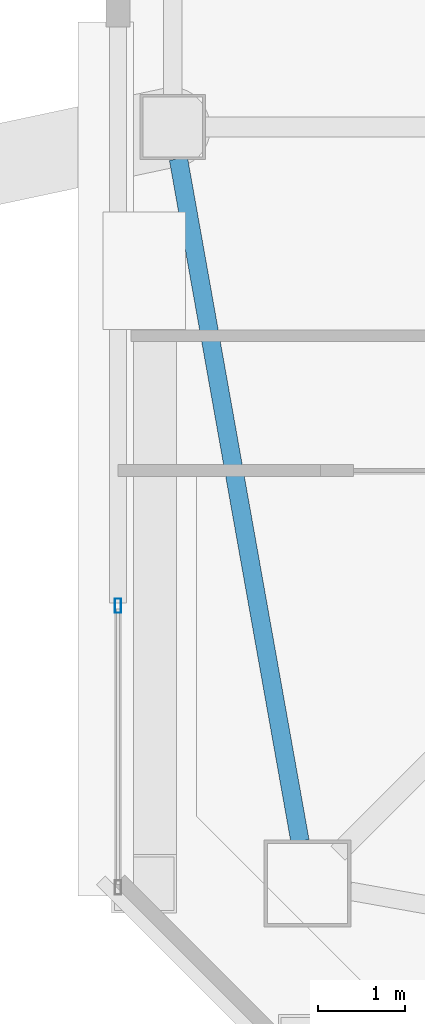
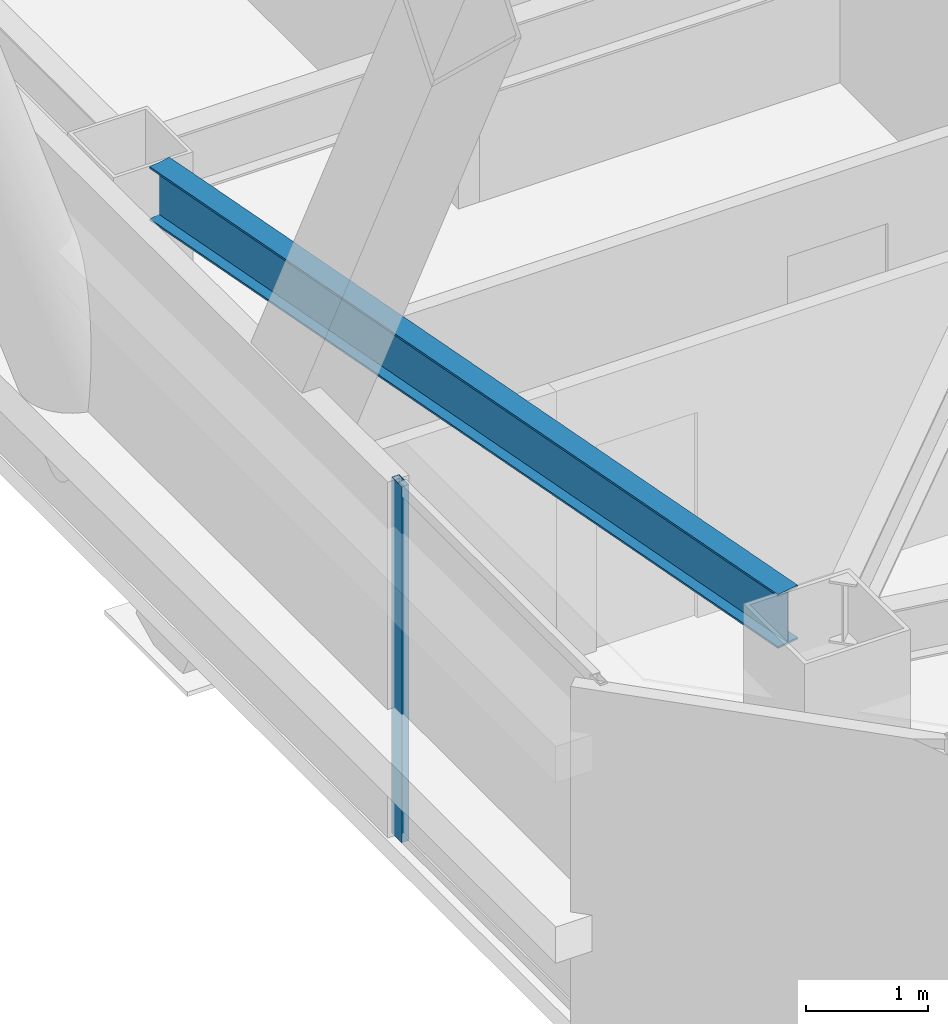
# One storey, part 7 of 56: 1 beam, 1 member, 1 element without a shape of its own.
"""IFC4 building model written with IfcOpenShell, lengths in metres."""

from ifc_helpers import new_model, si_unit, direction, frame, origin, origin_2d, place, context, subcontext, project, spatial, hollow_rectangle, i_section, extrude, material, material_profile, profile_set, type_object, element, aggregate, save


model = new_model("IFC4")

# Units and contexts
model_context = context("Model", 3, precision=1e-05, world=origin(), true_north=direction((0.0, 1.0)))
body_context = subcontext(model_context, "Body", "Model", "MODEL_VIEW")
ifc_project = project(units=[si_unit("LENGTHUNIT", "METRE"), si_unit("AREAUNIT", "SQUARE_METRE"), si_unit("VOLUMEUNIT", "CUBIC_METRE"), si_unit("PLANEANGLEUNIT", "RADIAN"), si_unit("MASSUNIT", "GRAM", prefix="KILO")], contexts=[model_context])

# Site, building, storey
site_placement = place(None, origin())
site = spatial("IfcSite", under=ifc_project, at=site_placement, CompositionType="ELEMENT")
building_placement = place(site_placement, origin())
building = spatial("IfcBuilding", under=site, at=building_placement, Name="Tashvorn Skyway Center", CompositionType="ELEMENT")
storey_placement = place(building_placement, frame((0.0, 0.0, 218.39990234375)))
storey = spatial("IfcBuildingStorey", under=building, at=storey_placement, Name="L59", CompositionType="ELEMENT", Elevation=218.39990234375)

# Beam
ifc_material_1 = material(Name="Steel ASTM A992 Grade 50", Category="steel")
ifc_material_profile_1 = material_profile(ifc_material_1, i_section(OverallWidth=0.2109375, OverallDepth=0.5390625, WebThickness=0.01171875, FlangeThickness=0.018798828125, at=origin_2d()), Name="W21X73")
ifc_profile_set_1 = profile_set([ifc_material_profile_1], Name="Steel ASTM A992 Grade 50")
beam_type = type_object("IfcBeamType", Name="BM-SPANDREL-W21X73", PredefinedType="SPANDREL", material=ifc_profile_set_1)
beam_placement = place(storey_placement, frame((26.414794921875, 26.23583984375, 3.1005859375), z_axis=(0.17541329759, -0.984494883191, 0.0), x_axis=(0.984494883191, 0.17541329759, 0.0)))
element("IfcBeam", 1, at=beam_placement, inside=storey, type_object=beam_type, Name="Tower 1 L59 Spandrel Beam 12", PredefinedType="SPANDREL", context=body_context, shape_type="SweptSolid", body=[
    extrude(i_section(OverallWidth=0.2109375, OverallDepth=0.5390625, WebThickness=0.01171875, FlangeThickness=0.018798828125, at=origin_2d()), origin(), (0.0, 0.0, 1.0), 7.97216796875),
])

# Curtain wall, member
ifc_material_2 = material(Name="Thermally broken bronze-anodized aluminium 6063-T6", Category="aluminium")
curtain_wall_type = type_object("IfcCurtainWallType", Name="CW-CW-Z5", PredefinedType="NOTDEFINED", material=ifc_material_2)
curtain_wall_placement = place(storey_placement, origin())
curtain_wall = element("IfcCurtainWall", 2, at=curtain_wall_placement, inside=storey, type_object=curtain_wall_type, Name="Tower 1 L59 West Curtain Wall L Glazing Group 1", PredefinedType="NOTDEFINED")
ifc_material_profile_2 = material_profile(ifc_material_2, hollow_rectangle(XDim=0.070068359375, YDim=0.1650390625, WallThickness=0.00390625, at=origin_2d()), Name="ALU-MULL-70x165")
ifc_profile_set_2 = profile_set([ifc_material_profile_2], Name="Thermally broken bronze-anodized aluminium 6063-T6")
member_type = type_object("IfcMemberType", Name="CWM-CW-Z5", PredefinedType="MULLION", material=ifc_profile_set_2)
member_placement = place(storey_placement, frame((25.719970703125, 21.094970703125, 0.0), z_axis=(0.0, 0.0, 1.0), x_axis=(-1.0, 0.0, 0.0)))
member = element("IfcMember", 3, at=member_placement, type_object=member_type, Name="CW-Z5 mullion 2", PredefinedType="MULLION", context=body_context, shape_type="SweptSolid", body=[
    extrude(hollow_rectangle(XDim=0.070068359375, YDim=0.1650390625, WallThickness=0.00390625, at=origin_2d()), origin(), (0.0, 0.0, 1.0), 3.550048828125),
])
aggregate(curtain_wall, [member])

save(model, "model.ifc")
